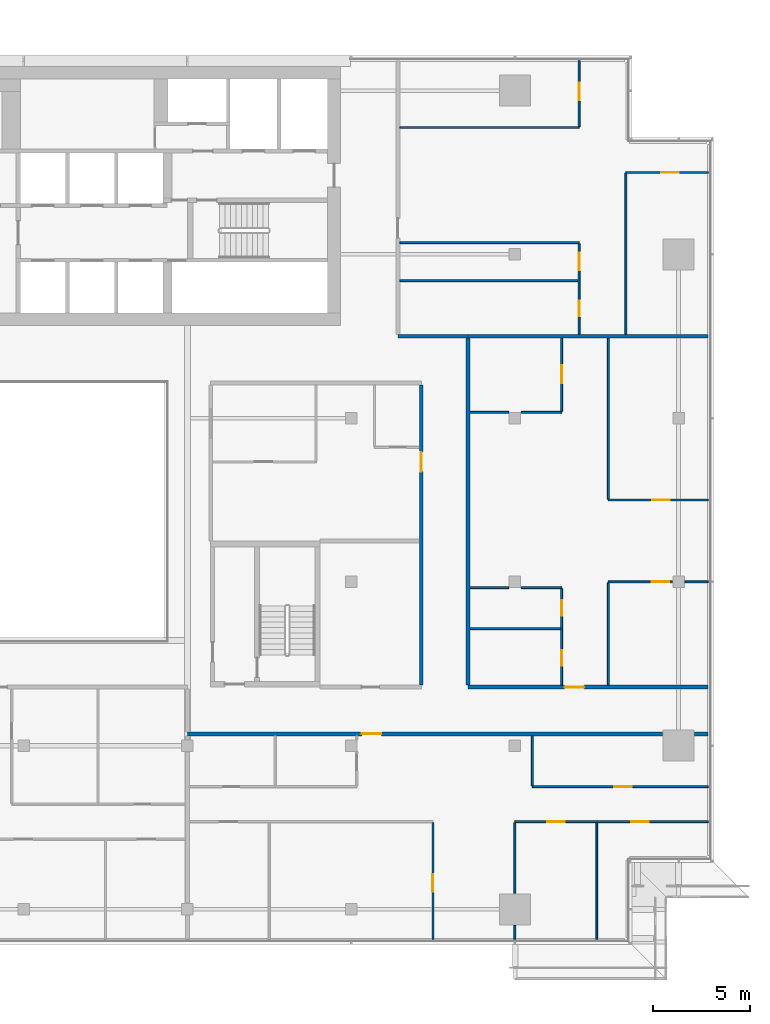
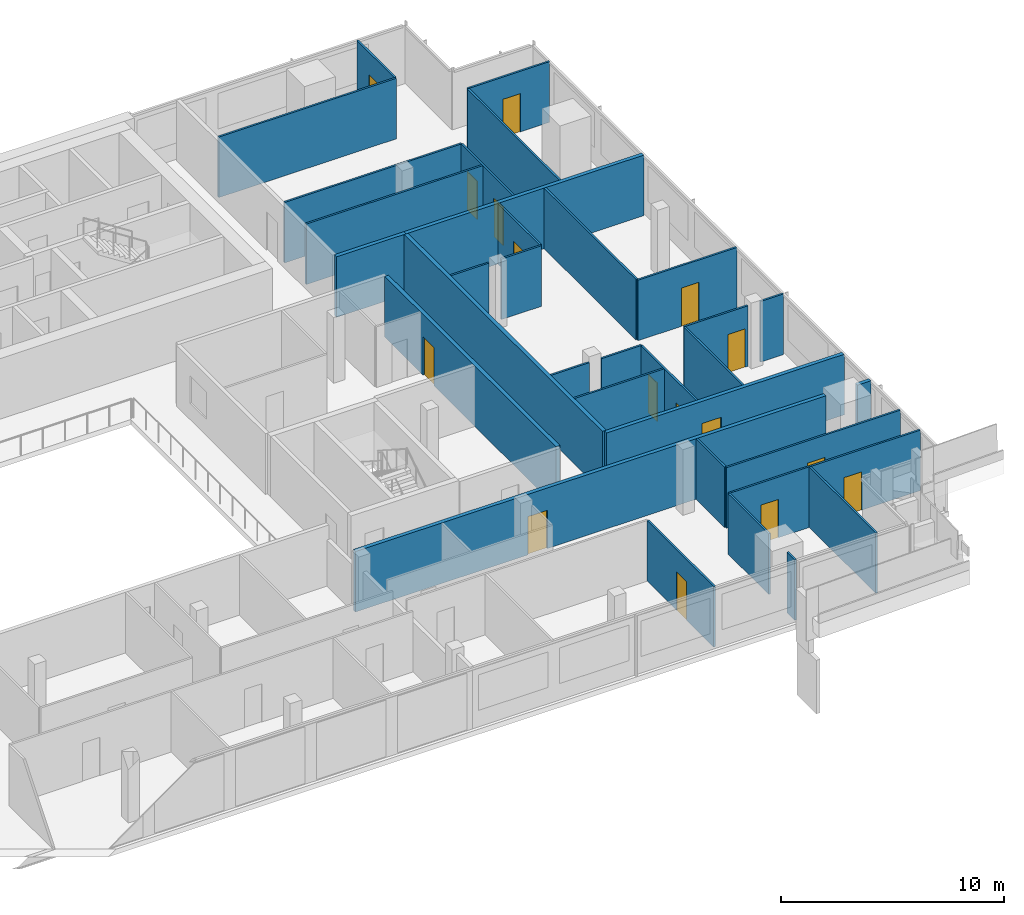
# One storey, part 24 of 30: 33 walls, 16 doors, 16 openings.
"""IFC4 building model written with IfcOpenShell, lengths in metres."""

from ifc_helpers import new_model, si_unit, direction, frame, frame_2d, origin, place, context, subcontext, project, spatial, rectangle, extrude, material, layer, layer_set, type_object, element, fill, save


model = new_model("IFC4")

# Units and contexts
model_context = context("Model", 3, precision=1e-05, world=origin(), true_north=direction((0.0, 1.0)))
body_context = subcontext(model_context, "Body", "Model", "MODEL_VIEW")
ifc_project = project(units=[si_unit("LENGTHUNIT", "METRE"), si_unit("AREAUNIT", "SQUARE_METRE"), si_unit("VOLUMEUNIT", "CUBIC_METRE"), si_unit("PLANEANGLEUNIT", "RADIAN"), si_unit("MASSUNIT", "GRAM", prefix="KILO")], contexts=[model_context])

# Site, building, storey
site_placement = place(None, origin())
site = spatial("IfcSite", under=ifc_project, at=site_placement, CompositionType="ELEMENT")
building_placement = place(site_placement, origin())
building = spatial("IfcBuilding", under=site, at=building_placement, Name="Saffron Gate Tower", CompositionType="ELEMENT")
storey_placement = place(building_placement, frame((0.0, 0.0, 237.89990234375)))
storey = spatial("IfcBuildingStorey", under=building, at=storey_placement, Name="L58", CompositionType="ELEMENT", Elevation=237.89990234375)

# Wall, openings, doors
ifc_material_1 = material(Name="Plasterboard on steel studs", Category="steel")
ifc_layer_1 = layer(ifc_material_1, 0.10009765625)
ifc_layer_set_1 = layer_set([ifc_layer_1], Name="PW1 Partition 100")
wall_type_1 = type_object("IfcWallType", Name="PW1 Partition 100", PredefinedType="PARTITIONING", material=ifc_layer_set_1)
wall_1_placement = place(storey_placement, frame((126.919921875, 36.300048828125, 0.0), z_axis=(0.0, 0.0, 1.0), x_axis=(-1.0, 0.0, 0.0)))
wall_1 = element("IfcWall", 1, at=wall_1_placement, inside=storey, type_object=wall_type_1, Name="Partition D4-7", PredefinedType="PARTITIONING", context=body_context, shape_type="SweptSolid", body=[
    extrude(rectangle(XDim=9.919921875, YDim=0.10009765625, at=frame_2d((4.9599609375, 0.0))), origin(), (0.0, 0.0, 1.0), 3.320068359375),
])
opening_1_placement = place(wall_1_placement, frame((3.0576171875, 0.0, 0.0)))
opening_1 = element("IfcOpeningElement", 2, at=opening_1_placement, cuts=wall_1, Name="Opening D4-21", PredefinedType="OPENING", context=body_context, shape_type="SweptSolid", body=[
    extrude(rectangle(XDim=0.89990234375, YDim=2.10009765625, at=frame_2d((0.449951171875, 1.050048828125))), frame((0.0, 0.06005859375, 0.0), z_axis=(0.0, -1.0, 0.0), x_axis=(1.0, 0.0, 0.0)), (0.0, 0.0, 1.0), 0.1201171875),
])
opening_2_placement = place(wall_1_placement, frame((7.3701171875, 0.0, 0.0)))
opening_2 = element("IfcOpeningElement", 3, at=opening_2_placement, cuts=wall_1, Name="Opening D4-20", PredefinedType="OPENING", context=body_context, shape_type="SweptSolid", body=[
    extrude(rectangle(XDim=0.89990234375, YDim=2.10009765625, at=frame_2d((0.449951171875, 1.050048828125))), frame((0.0, 0.06005859375, 0.0), z_axis=(0.0, -1.0, 0.0), x_axis=(1.0, 0.0, 0.0)), (0.0, 0.0, 1.0), 0.1201171875),
])
ifc_material_2 = material(Name="Timber door set", Category="wood")
door_type_1 = type_object("IfcDoorType", Name="RD1 Room door 900x2100", OperationType="NOTDEFINED", PredefinedType="DOOR", material=ifc_material_2)
door_1_placement = place(opening_1_placement, origin())
door_1 = element("IfcDoor", 4, at=door_1_placement, inside=storey, type_object=door_type_1, Name="Door D4-21", OperationType="SINGLE_SWING_RIGHT", OverallHeight=2.10009765625, OverallWidth=0.89990234375, PredefinedType="DOOR", context=body_context, shape_type="SweptSolid", body=[
    extrude(rectangle(XDim=0.89990234375, YDim=2.10009765625, at=frame_2d((0.449951171875, 1.050048828125))), frame((0.0, 0.02490234375, 0.0), z_axis=(0.0, -1.0, 0.0), x_axis=(1.0, 0.0, 0.0)), (0.0, 0.0, 1.0), 0.050048828125),
])
fill(opening_1, door_1)
door_2_placement = place(opening_2_placement, origin())
door_2 = element("IfcDoor", 5, at=door_2_placement, inside=storey, type_object=door_type_1, Name="Door D4-20", OperationType="SINGLE_SWING_RIGHT", OverallHeight=2.10009765625, OverallWidth=0.89990234375, PredefinedType="DOOR", context=body_context, shape_type="SweptSolid", body=[
    extrude(rectangle(XDim=0.89990234375, YDim=2.10009765625, at=frame_2d((0.449951171875, 1.050048828125))), frame((0.0, 0.02490234375, 0.0), z_axis=(0.0, -1.0, 0.0), x_axis=(1.0, 0.0, 0.0)), (0.0, 0.0, 1.0), 0.050048828125),
])
fill(opening_2, door_2)

# Wall, opening, door
wall_2_placement = place(storey_placement, frame((117.89990234375, 38.10009765625, 0.0), z_axis=(0.0, 0.0, 1.0), x_axis=(1.0, 0.0, 0.0)))
wall_2 = element("IfcWall", 6, at=wall_2_placement, inside=storey, type_object=wall_type_1, Name="Partition D4-11", PredefinedType="PARTITIONING", context=body_context, shape_type="SweptSolid", body=[
    extrude(rectangle(XDim=9.02001953125, YDim=0.10009765625, at=frame_2d((4.510009765625, 0.0))), origin(), (0.0, 0.0, 1.0), 3.320068359375),
])
opening_3_placement = place(wall_2_placement, frame((4.199951171875, 0.0, 0.0)))
opening_3 = element("IfcOpeningElement", 7, at=opening_3_placement, cuts=wall_2, Name="Opening D4-22", PredefinedType="OPENING", context=body_context, shape_type="SweptSolid", body=[
    extrude(rectangle(XDim=0.89990234375, YDim=2.10009765625, at=frame_2d((0.449951171875, 1.050048828125))), frame((0.0, 0.06005859375, 0.0), z_axis=(0.0, -1.0, 0.0), x_axis=(1.0, 0.0, 0.0)), (0.0, 0.0, 1.0), 0.1201171875),
])
door_3_placement = place(opening_3_placement, origin())
door_3 = element("IfcDoor", 8, at=door_3_placement, inside=storey, type_object=door_type_1, Name="Door D4-22", OperationType="SINGLE_SWING_RIGHT", OverallHeight=2.10009765625, OverallWidth=0.89990234375, PredefinedType="DOOR", context=body_context, shape_type="SweptSolid", body=[
    extrude(rectangle(XDim=0.89990234375, YDim=2.10009765625, at=frame_2d((0.449951171875, 1.050048828125))), frame((0.0, 0.02490234375, 0.0), z_axis=(0.0, -1.0, 0.0), x_axis=(1.0, 0.0, 0.0)), (0.0, 0.0, 1.0), 0.050048828125),
])
fill(opening_3, door_3)

# Walls
wall_3_placement = place(storey_placement, frame((114.699951171875, 46.199951171875, 0.0), z_axis=(0.0, 0.0, 1.0), x_axis=(1.0, 0.0, 0.0)))
element("IfcWall", 9, at=wall_3_placement, inside=storey, type_object=wall_type_1, Name="Partition D4-21", PredefinedType="PARTITIONING", context=body_context, shape_type="SweptSolid", body=[
    extrude(rectangle(XDim=4.650146484375, YDim=0.10009765625, at=frame_2d((2.3251953125, 0.0))), origin(), (0.0, 0.0, 1.0), 3.320068359375),
])
wall_4_placement = place(storey_placement, frame((114.699951171875, 48.300048828125, 0.0), z_axis=(0.0, 0.0, 1.0), x_axis=(1.0, 0.0, 0.0)))
element("IfcWall", 10, at=wall_4_placement, inside=storey, type_object=wall_type_1, Name="Partition D4-22", PredefinedType="PARTITIONING", context=body_context, shape_type="SweptSolid", body=[
    extrude(rectangle(XDim=1.97998046875, YDim=0.10009765625, at=frame_2d((0.989990234375, 0.0))), origin(), (0.0, 0.0, 1.0), 3.320068359375),
])
wall_5_placement = place(storey_placement, frame((117.320068359375, 48.300048828125, 0.0), z_axis=(0.0, 0.0, 1.0), x_axis=(1.0, 0.0, 0.0)))
element("IfcWall", 11, at=wall_5_placement, inside=storey, type_object=wall_type_1, Name="Partition D4-23", PredefinedType="PARTITIONING", context=body_context, shape_type="SweptSolid", body=[
    extrude(rectangle(XDim=2.079833984375, YDim=0.10009765625, at=frame_2d((1.0400390625, 0.0))), origin(), (0.0, 0.0, 1.0), 3.320068359375),
])

# Wall, opening, door
wall_6_placement = place(storey_placement, frame((125.080078125, 48.60009765625, 0.0), z_axis=(0.0, 0.0, 1.0), x_axis=(-1.0, 0.0, 0.0)))
wall_6 = element("IfcWall", 12, at=wall_6_placement, inside=storey, type_object=wall_type_1, Name="Partition D4-26", PredefinedType="PARTITIONING", context=body_context, shape_type="SweptSolid", body=[
    extrude(rectangle(XDim=3.280029296875, YDim=0.10009765625, at=frame_2d((1.64013671875, 0.0))), origin(), (0.0, 0.0, 1.0), 3.320068359375),
])
opening_4_placement = place(wall_6_placement, frame((0.14990234375, 0.0, 0.0)))
opening_4 = element("IfcOpeningElement", 13, at=opening_4_placement, cuts=wall_6, Name="Opening D4-29", PredefinedType="OPENING", context=body_context, shape_type="SweptSolid", body=[
    extrude(rectangle(XDim=0.89990234375, YDim=2.10009765625, at=frame_2d((0.449951171875, 1.050048828125))), frame((0.0, 0.06005859375, 0.0), z_axis=(0.0, -1.0, 0.0), x_axis=(1.0, 0.0, 0.0)), (0.0, 0.0, 1.0), 0.1201171875),
])
door_4_placement = place(opening_4_placement, origin())
door_4 = element("IfcDoor", 14, at=door_4_placement, inside=storey, type_object=door_type_1, Name="Door D4-29", OperationType="SINGLE_SWING_LEFT", OverallHeight=2.10009765625, OverallWidth=0.89990234375, PredefinedType="DOOR", context=body_context, shape_type="SweptSolid", body=[
    extrude(rectangle(XDim=0.89990234375, YDim=2.10009765625, at=frame_2d((0.449951171875, 1.050048828125))), frame((0.0, 0.02490234375, 0.0), z_axis=(0.0, -1.0, 0.0), x_axis=(1.0, 0.0, 0.0)), (0.0, 0.0, 1.0), 0.050048828125),
])
fill(opening_4, door_4)

# Wall
wall_7_placement = place(storey_placement, frame((125.719970703125, 48.60009765625, 0.0), z_axis=(0.0, 0.0, 1.0), x_axis=(1.0, 0.0, 0.0)))
element("IfcWall", 15, at=wall_7_placement, inside=storey, type_object=wall_type_1, Name="Partition D4-27", PredefinedType="PARTITIONING", context=body_context, shape_type="SweptSolid", body=[
    extrude(rectangle(XDim=1.199951171875, YDim=0.10009765625, at=frame_2d((0.60009765625, 0.0))), origin(), (0.0, 0.0, 1.0), 3.320068359375),
])

# Wall, opening, door
wall_8_placement = place(storey_placement, frame((121.800048828125, 52.800048828125, 0.0), z_axis=(0.0, 0.0, 1.0), x_axis=(1.0, 0.0, 0.0)))
wall_8 = element("IfcWall", 16, at=wall_8_placement, inside=storey, type_object=wall_type_1, Name="Partition D4-32", PredefinedType="PARTITIONING", context=body_context, shape_type="SweptSolid", body=[
    extrude(rectangle(XDim=5.119873046875, YDim=0.10009765625, at=frame_2d((2.56005859375, 0.0))), origin(), (0.0, 0.0, 1.0), 3.320068359375),
])
opening_5_placement = place(wall_8_placement, frame((2.25, 0.0, 0.0)))
opening_5 = element("IfcOpeningElement", 17, at=opening_5_placement, cuts=wall_8, Name="Opening D4-30", PredefinedType="OPENING", context=body_context, shape_type="SweptSolid", body=[
    extrude(rectangle(XDim=0.89990234375, YDim=2.10009765625, at=frame_2d((0.449951171875, 1.050048828125))), frame((0.0, 0.06005859375, 0.0), z_axis=(0.0, -1.0, 0.0), x_axis=(1.0, 0.0, 0.0)), (0.0, 0.0, 1.0), 0.1201171875),
])
door_5_placement = place(opening_5_placement, origin())
door_5 = element("IfcDoor", 18, at=door_5_placement, inside=storey, type_object=door_type_1, Name="Door D4-30", OperationType="SINGLE_SWING_RIGHT", OverallHeight=2.10009765625, OverallWidth=0.89990234375, PredefinedType="DOOR", context=body_context, shape_type="SweptSolid", body=[
    extrude(rectangle(XDim=0.89990234375, YDim=2.10009765625, at=frame_2d((0.449951171875, 1.050048828125))), frame((0.0, 0.02490234375, 0.0), z_axis=(0.0, -1.0, 0.0), x_axis=(1.0, 0.0, 0.0)), (0.0, 0.0, 1.0), 0.050048828125),
])
fill(opening_5, door_5)

# Walls
wall_9_placement = place(storey_placement, frame((114.699951171875, 57.300048828125, 0.0), z_axis=(0.0, 0.0, 1.0), x_axis=(1.0, 0.0, 0.0)))
element("IfcWall", 19, at=wall_9_placement, inside=storey, type_object=wall_type_1, Name="Partition D4-40", PredefinedType="PARTITIONING", context=body_context, shape_type="SweptSolid", body=[
    extrude(rectangle(XDim=1.97998046875, YDim=0.10009765625, at=frame_2d((0.989990234375, 0.0))), origin(), (0.0, 0.0, 1.0), 3.320068359375),
])
wall_10_placement = place(storey_placement, frame((117.320068359375, 57.300048828125, 0.0), z_axis=(0.0, 0.0, 1.0), x_axis=(1.0, 0.0, 0.0)))
element("IfcWall", 20, at=wall_10_placement, inside=storey, type_object=wall_type_1, Name="Partition D4-41", PredefinedType="PARTITIONING", context=body_context, shape_type="SweptSolid", body=[
    extrude(rectangle(XDim=2.079833984375, YDim=0.10009765625, at=frame_2d((1.0400390625, 0.0))), origin(), (0.0, 0.0, 1.0), 3.320068359375),
])
wall_11_placement = place(storey_placement, frame((111.10009765625, 64.049560546875, 0.0), z_axis=(0.0, 0.0, 1.0), x_axis=(1.0, 0.0, 0.0)))
element("IfcWall", 21, at=wall_11_placement, inside=storey, type_object=wall_type_1, Name="Partition D4-49", PredefinedType="PARTITIONING", context=body_context, shape_type="SweptSolid", body=[
    extrude(rectangle(XDim=9.14990234375, YDim=0.10009765625, at=frame_2d((4.574951171875, 0.0))), origin(), (0.0, 0.0, 1.0), 3.320068359375),
])
wall_12_placement = place(storey_placement, frame((111.10009765625, 66.0, 0.0), z_axis=(0.0, 0.0, 1.0), x_axis=(1.0, 0.0, 0.0)))
element("IfcWall", 22, at=wall_12_placement, inside=storey, type_object=wall_type_1, Name="Partition D4-50", PredefinedType="PARTITIONING", context=body_context, shape_type="SweptSolid", body=[
    extrude(rectangle(XDim=9.199951171875, YDim=0.10009765625, at=frame_2d((4.60009765625, 0.0))), origin(), (0.0, 0.0, 1.0), 3.320068359375),
])

# Wall, opening, door
wall_13_placement = place(storey_placement, frame((126.919921875, 69.60009765625, 0.0), z_axis=(0.0, 0.0, 1.0), x_axis=(-1.0, 0.0, 0.0)))
wall_13 = element("IfcWall", 23, at=wall_13_placement, inside=storey, type_object=wall_type_1, Name="Partition D4-54", PredefinedType="PARTITIONING", context=body_context, shape_type="SweptSolid", body=[
    extrude(rectangle(XDim=4.219970703125, YDim=0.10009765625, at=frame_2d((2.10986328125, 0.0))), origin(), (0.0, 0.0, 1.0), 3.320068359375),
])
opening_6_placement = place(wall_13_placement, frame((1.52001953125, 0.0, 0.0)))
opening_6 = element("IfcOpeningElement", 24, at=opening_6_placement, cuts=wall_13, Name="Opening D4-32", PredefinedType="OPENING", context=body_context, shape_type="SweptSolid", body=[
    extrude(rectangle(XDim=0.89990234375, YDim=2.10009765625, at=frame_2d((0.449951171875, 1.050048828125))), frame((0.0, 0.06005859375, 0.0), z_axis=(0.0, -1.0, 0.0), x_axis=(1.0, 0.0, 0.0)), (0.0, 0.0, 1.0), 0.1201171875),
])
door_6_placement = place(opening_6_placement, origin())
door_6 = element("IfcDoor", 25, at=door_6_placement, inside=storey, type_object=door_type_1, Name="Door D4-32", OperationType="SINGLE_SWING_LEFT", OverallHeight=2.10009765625, OverallWidth=0.89990234375, PredefinedType="DOOR", context=body_context, shape_type="SweptSolid", body=[
    extrude(rectangle(XDim=0.89990234375, YDim=2.10009765625, at=frame_2d((0.449951171875, 1.050048828125))), frame((0.0, 0.02490234375, 0.0), z_axis=(0.0, -1.0, 0.0), x_axis=(1.0, 0.0, 0.0)), (0.0, 0.0, 1.0), 0.050048828125),
])
fill(opening_6, door_6)

# Wall
wall_14_placement = place(storey_placement, frame((111.10009765625, 71.90869140625, 0.0), z_axis=(0.0, 0.0, 1.0), x_axis=(1.0, 0.0, 0.0)))
element("IfcWall", 26, at=wall_14_placement, inside=storey, type_object=wall_type_1, Name="Partition D4-56", PredefinedType="PARTITIONING", context=body_context, shape_type="SweptSolid", body=[
    extrude(rectangle(XDim=9.199951171875, YDim=0.10009765625, at=frame_2d((4.60009765625, 0.0))), origin(), (0.0, 0.0, 1.0), 3.320068359375),
])

# Wall, opening, door
wall_15_placement = place(storey_placement, frame((112.800048828125, 30.280029296875, 0.0), z_axis=(0.0, 0.0, 1.0), x_axis=(0.0, 1.0, 0.0)))
wall_15 = element("IfcWall", 27, at=wall_15_placement, inside=storey, type_object=wall_type_1, Name="Partition D4-104", PredefinedType="PARTITIONING", context=body_context, shape_type="SweptSolid", body=[
    extrude(rectangle(XDim=5.969970703125, YDim=0.10009765625, at=frame_2d((2.98486328125, 0.0))), origin(), (0.0, 0.0, 1.0), 3.320068359375),
])
opening_7_placement = place(wall_15_placement, frame((2.419921875, 0.0, 0.0)))
opening_7 = element("IfcOpeningElement", 28, at=opening_7_placement, cuts=wall_15, Name="Opening D4-19", PredefinedType="OPENING", context=body_context, shape_type="SweptSolid", body=[
    extrude(rectangle(XDim=0.89990234375, YDim=2.10009765625, at=frame_2d((0.449951171875, 1.050048828125))), frame((0.0, 0.06005859375, 0.0), z_axis=(0.0, -1.0, 0.0), x_axis=(1.0, 0.0, 0.0)), (0.0, 0.0, 1.0), 0.1201171875),
])
door_7_placement = place(opening_7_placement, origin())
door_7 = element("IfcDoor", 29, at=door_7_placement, inside=storey, type_object=door_type_1, Name="Door D4-19", OperationType="SINGLE_SWING_LEFT", OverallHeight=2.10009765625, OverallWidth=0.89990234375, PredefinedType="DOOR", context=body_context, shape_type="SweptSolid", body=[
    extrude(rectangle(XDim=0.89990234375, YDim=2.10009765625, at=frame_2d((0.449951171875, 1.050048828125))), frame((0.0, 0.02490234375, 0.0), z_axis=(0.0, -1.0, 0.0), x_axis=(1.0, 0.0, 0.0)), (0.0, 0.0, 1.0), 0.050048828125),
])
fill(opening_7, door_7)

# Walls
wall_16_placement = place(storey_placement, frame((117.0, 30.97998046875, 0.0), z_axis=(0.0, 0.0, 1.0), x_axis=(0.0, -1.0, 0.0)))
element("IfcWall", 30, at=wall_16_placement, inside=storey, type_object=wall_type_1, Name="Partition D4-106", PredefinedType="PARTITIONING", context=body_context, shape_type="SweptSolid", body=[
    extrude(rectangle(XDim=0.699951171875, YDim=0.10009765625, at=frame_2d((0.35009765625, 0.0))), origin(), (0.0, 0.0, 1.0), 3.320068359375),
])
wall_17_placement = place(storey_placement, frame((117.0, 36.25, 0.0), z_axis=(0.0, 0.0, 1.0), x_axis=(0.0, -1.0, 0.0)))
element("IfcWall", 31, at=wall_17_placement, inside=storey, type_object=wall_type_1, Name="Partition D4-107", PredefinedType="PARTITIONING", context=body_context, shape_type="SweptSolid", body=[
    extrude(rectangle(XDim=3.6298828125, YDim=0.10009765625, at=frame_2d((1.81494140625, 0.0))), origin(), (0.0, 0.0, 1.0), 3.320068359375),
])
wall_18_placement = place(storey_placement, frame((117.89990234375, 40.699951171875, 0.0), z_axis=(0.0, 0.0, 1.0), x_axis=(0.0, -1.0, 0.0)))
element("IfcWall", 32, at=wall_18_placement, inside=storey, type_object=wall_type_1, Name="Partition D4-108", PredefinedType="PARTITIONING", context=body_context, shape_type="SweptSolid", body=[
    extrude(rectangle(XDim=2.550048828125, YDim=0.10009765625, at=frame_2d((1.27490234375, 0.0))), origin(), (0.0, 0.0, 1.0), 3.320068359375),
])

# Wall, openings, doors
wall_19_placement = place(storey_placement, frame((119.39990234375, 43.300048828125, 0.0), z_axis=(0.0, 0.0, 1.0), x_axis=(0.0, 1.0, 0.0)))
wall_19 = element("IfcWall", 33, at=wall_19_placement, inside=storey, type_object=wall_type_1, Name="Partition D4-109", PredefinedType="PARTITIONING", context=body_context, shape_type="SweptSolid", body=[
    extrude(rectangle(XDim=4.949951171875, YDim=0.10009765625, at=frame_2d((2.47509765625, 0.0))), origin(), (0.0, 0.0, 1.0), 3.320068359375),
])
opening_8_placement = place(wall_19_placement, frame((1.0, 0.0, 0.0)))
opening_8 = element("IfcOpeningElement", 34, at=opening_8_placement, cuts=wall_19, Name="Opening D4-46", PredefinedType="OPENING", context=body_context, shape_type="SweptSolid", body=[
    extrude(rectangle(XDim=0.800048828125, YDim=2.10009765625, at=frame_2d((0.39990234375, 1.050048828125))), frame((0.0, 0.06005859375, 0.0), z_axis=(0.0, -1.0, 0.0), x_axis=(1.0, 0.0, 0.0)), (0.0, 0.0, 1.0), 0.1201171875),
])
opening_9_placement = place(wall_19_placement, frame((3.550048828125, 0.0, 0.0)))
opening_9 = element("IfcOpeningElement", 35, at=opening_9_placement, cuts=wall_19, Name="Opening D4-47", PredefinedType="OPENING", context=body_context, shape_type="SweptSolid", body=[
    extrude(rectangle(XDim=0.800048828125, YDim=2.10009765625, at=frame_2d((0.39990234375, 1.050048828125))), frame((0.0, 0.06005859375, 0.0), z_axis=(0.0, -1.0, 0.0), x_axis=(1.0, 0.0, 0.0)), (0.0, 0.0, 1.0), 0.1201171875),
])
door_type_2 = type_object("IfcDoorType", Name="RD2 Bathroom door 800x2100", OperationType="NOTDEFINED", PredefinedType="DOOR", material=ifc_material_2)
door_8_placement = place(opening_8_placement, origin())
door_8 = element("IfcDoor", 36, at=door_8_placement, inside=storey, type_object=door_type_2, Name="Door D4-46", OperationType="SINGLE_SWING_LEFT", OverallHeight=2.10009765625, OverallWidth=0.800048828125, PredefinedType="DOOR", context=body_context, shape_type="SweptSolid", body=[
    extrude(rectangle(XDim=0.800048828125, YDim=2.10009765625, at=frame_2d((0.39990234375, 1.050048828125))), frame((0.0, 0.02490234375, 0.0), z_axis=(0.0, -1.0, 0.0), x_axis=(1.0, 0.0, 0.0)), (0.0, 0.0, 1.0), 0.050048828125),
])
fill(opening_8, door_8)
door_9_placement = place(opening_9_placement, origin())
door_9 = element("IfcDoor", 37, at=door_9_placement, inside=storey, type_object=door_type_2, Name="Door D4-47", OperationType="SINGLE_SWING_RIGHT", OverallHeight=2.10009765625, OverallWidth=0.800048828125, PredefinedType="DOOR", context=body_context, shape_type="SweptSolid", body=[
    extrude(rectangle(XDim=0.800048828125, YDim=2.10009765625, at=frame_2d((0.39990234375, 1.050048828125))), frame((0.0, 0.02490234375, 0.0), z_axis=(0.0, -1.0, 0.0), x_axis=(1.0, 0.0, 0.0)), (0.0, 0.0, 1.0), 0.050048828125),
])
fill(opening_9, door_9)

# Wall, opening, door
wall_20_placement = place(storey_placement, frame((119.39990234375, 57.35009765625, 0.0), z_axis=(0.0, 0.0, 1.0), x_axis=(0.0, 1.0, 0.0)))
wall_20 = element("IfcWall", 38, at=wall_20_placement, inside=storey, type_object=wall_type_1, Name="Partition D4-110", PredefinedType="PARTITIONING", context=body_context, shape_type="SweptSolid", body=[
    extrude(rectangle(XDim=3.75, YDim=0.10009765625, at=frame_2d((1.875, 0.0))), origin(), (0.0, 0.0, 1.0), 3.320068359375),
])
opening_10_placement = place(wall_20_placement, frame((1.449951171875, 0.0, 0.0)))
opening_10 = element("IfcOpeningElement", 39, at=opening_10_placement, cuts=wall_20, Name="Opening D4-31", PredefinedType="OPENING", context=body_context, shape_type="SweptSolid", body=[
    extrude(rectangle(XDim=0.89990234375, YDim=2.10009765625, at=frame_2d((0.449951171875, 1.050048828125))), frame((0.0, 0.06005859375, 0.0), z_axis=(0.0, -1.0, 0.0), x_axis=(1.0, 0.0, 0.0)), (0.0, 0.0, 1.0), 0.1201171875),
])
door_10_placement = place(opening_10_placement, origin())
door_10 = element("IfcDoor", 40, at=door_10_placement, inside=storey, type_object=door_type_1, Name="Door D4-31", OperationType="SINGLE_SWING_RIGHT", OverallHeight=2.10009765625, OverallWidth=0.89990234375, PredefinedType="DOOR", context=body_context, shape_type="SweptSolid", body=[
    extrude(rectangle(XDim=0.89990234375, YDim=2.10009765625, at=frame_2d((0.449951171875, 1.050048828125))), frame((0.0, 0.02490234375, 0.0), z_axis=(0.0, -1.0, 0.0), x_axis=(1.0, 0.0, 0.0)), (0.0, 0.0, 1.0), 0.050048828125),
])
fill(opening_10, door_10)

# Wall, openings, doors
wall_21_placement = place(storey_placement, frame((120.300048828125, 61.300048828125, 0.0), z_axis=(0.0, 0.0, 1.0), x_axis=(0.0, 1.0, 0.0)))
wall_21 = element("IfcWall", 41, at=wall_21_placement, inside=storey, type_object=wall_type_1, Name="Partition D4-111", PredefinedType="PARTITIONING", context=body_context, shape_type="SweptSolid", body=[
    extrude(rectangle(XDim=4.64990234375, YDim=0.10009765625, at=frame_2d((2.324951171875, 0.0))), origin(), (0.0, 0.0, 1.0), 3.320068359375),
])
opening_11_placement = place(wall_21_placement, frame((0.9248046875, 0.0, 0.0)))
opening_11 = element("IfcOpeningElement", 42, at=opening_11_placement, cuts=wall_21, Name="Opening D4-48", PredefinedType="OPENING", context=body_context, shape_type="SweptSolid", body=[
    extrude(rectangle(XDim=0.800048828125, YDim=2.10009765625, at=frame_2d((0.39990234375, 1.050048828125))), frame((0.0, 0.06005859375, 0.0), z_axis=(0.0, -1.0, 0.0), x_axis=(1.0, 0.0, 0.0)), (0.0, 0.0, 1.0), 0.1201171875),
])
opening_12_placement = place(wall_21_placement, frame((3.274658203125, 0.0, 0.0)))
opening_12 = element("IfcOpeningElement", 43, at=opening_12_placement, cuts=wall_21, Name="Opening D4-34", PredefinedType="OPENING", context=body_context, shape_type="SweptSolid", body=[
    extrude(rectangle(XDim=0.89990234375, YDim=2.10009765625, at=frame_2d((0.449951171875, 1.050048828125))), frame((0.0, 0.06005859375, 0.0), z_axis=(0.0, -1.0, 0.0), x_axis=(1.0, 0.0, 0.0)), (0.0, 0.0, 1.0), 0.1201171875),
])
door_11_placement = place(opening_12_placement, origin())
door_11 = element("IfcDoor", 44, at=door_11_placement, inside=storey, type_object=door_type_1, Name="Door D4-34", OperationType="SINGLE_SWING_RIGHT", OverallHeight=2.10009765625, OverallWidth=0.89990234375, PredefinedType="DOOR", context=body_context, shape_type="SweptSolid", body=[
    extrude(rectangle(XDim=0.89990234375, YDim=2.10009765625, at=frame_2d((0.449951171875, 1.050048828125))), frame((0.0, 0.02490234375, 0.0), z_axis=(0.0, -1.0, 0.0), x_axis=(1.0, 0.0, 0.0)), (0.0, 0.0, 1.0), 0.050048828125),
])
fill(opening_12, door_11)
door_12_placement = place(opening_11_placement, origin())
door_12 = element("IfcDoor", 45, at=door_12_placement, inside=storey, type_object=door_type_2, Name="Door D4-48", OperationType="SINGLE_SWING_LEFT", OverallHeight=2.10009765625, OverallWidth=0.800048828125, PredefinedType="DOOR", context=body_context, shape_type="SweptSolid", body=[
    extrude(rectangle(XDim=0.800048828125, YDim=2.10009765625, at=frame_2d((0.39990234375, 1.050048828125))), frame((0.0, 0.02490234375, 0.0), z_axis=(0.0, -1.0, 0.0), x_axis=(1.0, 0.0, 0.0)), (0.0, 0.0, 1.0), 0.050048828125),
])
fill(opening_11, door_12)

# Wall, opening, door
wall_22_placement = place(storey_placement, frame((120.300048828125, 71.95849609375, 0.0), z_axis=(0.0, 0.0, 1.0), x_axis=(0.0, 1.0, 0.0)))
wall_22 = element("IfcWall", 46, at=wall_22_placement, inside=storey, type_object=wall_type_1, Name="Partition D4-112", PredefinedType="PARTITIONING", context=body_context, shape_type="SweptSolid", body=[
    extrude(rectangle(XDim=3.361572265625, YDim=0.10009765625, at=frame_2d((1.6806640625, 0.0))), origin(), (0.0, 0.0, 1.0), 3.320068359375),
])
opening_13_placement = place(wall_22_placement, frame((1.345703125, 0.0, 0.0)))
opening_13 = element("IfcOpeningElement", 47, at=opening_13_placement, cuts=wall_22, Name="Opening D4-33", PredefinedType="OPENING", context=body_context, shape_type="SweptSolid", body=[
    extrude(rectangle(XDim=0.89990234375, YDim=2.10009765625, at=frame_2d((0.449951171875, 1.050048828125))), frame((0.0, 0.06005859375, 0.0), z_axis=(0.0, -1.0, 0.0), x_axis=(1.0, 0.0, 0.0)), (0.0, 0.0, 1.0), 0.1201171875),
])
door_13_placement = place(opening_13_placement, origin())
door_13 = element("IfcDoor", 48, at=door_13_placement, inside=storey, type_object=door_type_1, Name="Door D4-33", OperationType="SINGLE_SWING_RIGHT", OverallHeight=2.10009765625, OverallWidth=0.89990234375, PredefinedType="DOOR", context=body_context, shape_type="SweptSolid", body=[
    extrude(rectangle(XDim=0.89990234375, YDim=2.10009765625, at=frame_2d((0.449951171875, 1.050048828125))), frame((0.0, 0.02490234375, 0.0), z_axis=(0.0, -1.0, 0.0), x_axis=(1.0, 0.0, 0.0)), (0.0, 0.0, 1.0), 0.050048828125),
])
fill(opening_13, door_13)

# Walls
wall_23_placement = place(storey_placement, frame((121.199951171875, 36.25, 0.0), z_axis=(0.0, 0.0, 1.0), x_axis=(0.0, -1.0, 0.0)))
element("IfcWall", 49, at=wall_23_placement, inside=storey, type_object=wall_type_1, Name="Partition D4-113", PredefinedType="PARTITIONING", context=body_context, shape_type="SweptSolid", body=[
    extrude(rectangle(XDim=5.969970703125, YDim=0.10009765625, at=frame_2d((2.98486328125, 0.0))), origin(), (0.0, 0.0, 1.0), 3.320068359375),
])
wall_24_placement = place(storey_placement, frame((121.800048828125, 48.550048828125, 0.0), z_axis=(0.0, 0.0, 1.0), x_axis=(0.0, -1.0, 0.0)))
element("IfcWall", 50, at=wall_24_placement, inside=storey, type_object=wall_type_1, Name="Partition D4-114", PredefinedType="PARTITIONING", context=body_context, shape_type="SweptSolid", body=[
    extrude(rectangle(XDim=5.25, YDim=0.10009765625, at=frame_2d((2.625, 0.0))), origin(), (0.0, 0.0, 1.0), 3.320068359375),
])
for number, where, z_axis, x_axis, name in (
    (51, (121.800048828125, 61.10009765625, 0.0), (0.0, 0.0, 1.0), (0.0, -1.0, 0.0), "Partition D4-115"),
    (52, (122.699951171875, 69.550048828125, 0.0), (0.0, 0.0, 1.0), (0.0, -1.0, 0.0), "Partition D4-116"),
):
    element("IfcWall", number, at=place(storey_placement, frame(where, z_axis=z_axis, x_axis=x_axis)), inside=storey, type_object=wall_type_1, Name=name, PredefinedType="PARTITIONING", context=body_context, shape_type="SweptSolid", body=[
        extrude(rectangle(XDim=8.25, YDim=0.10009765625, at=frame_2d((4.125, 0.0))), origin(), (0.0, 0.0, 1.0), 3.320068359375),
    ])
ifc_material_3 = material(Name="Clay brick masonry, rendered", Category="masonry")
ifc_layer_2 = layer(ifc_material_3, 0.199951171875)
ifc_layer_set_2 = layer_set([ifc_layer_2], Name="PW2 Demising wall 200")
wall_type_2 = type_object("IfcWallType", Name="PW2 Demising wall 200", PredefinedType="PARTITIONING", material=ifc_layer_set_2)
wall_25_placement = place(storey_placement, frame((114.60009765625, 61.199951171875, 0.0), z_axis=(0.0, 0.0, 1.0), x_axis=(1.0, 0.0, 0.0)))
element("IfcWall", 53, at=wall_25_placement, inside=storey, type_object=wall_type_2, Name="Wall D4-48", PredefinedType="PARTITIONING", context=body_context, shape_type="SweptSolid", body=[
    extrude(rectangle(XDim=12.31982421875, YDim=0.199951171875, at=frame_2d((6.159912109375, 0.0))), origin(), (0.0, 0.0, 1.0), 3.320068359375),
])

# Wall, opening, door
ifc_layer_3 = layer(ifc_material_3, 0.199951171875)
ifc_layer_set_3 = layer_set([ifc_layer_3], Name="PW3 Corridor wall 200")
wall_type_3 = type_object("IfcWallType", Name="PW3 Corridor wall 200", PredefinedType="PARTITIONING", material=ifc_layer_set_3)
wall_26_placement = place(storey_placement, frame((124.580078125, 40.800048828125, 0.0), z_axis=(0.0, 0.0, 1.0), x_axis=(-1.0, 0.0, 0.0)))
wall_26 = element("IfcWall", 54, at=wall_26_placement, inside=storey, type_object=wall_type_3, Name="Wall D4-14", PredefinedType="PARTITIONING", context=body_context, shape_type="SweptSolid", body=[
    extrude(rectangle(XDim=24.380126953125, YDim=0.199951171875, at=frame_2d((12.18994140625, 0.0))), origin(), (0.0, 0.0, 1.0), 3.320068359375),
])
opening_14_placement = place(wall_26_placement, frame((14.429931640625, 0.0, 0.0)))
opening_14 = element("IfcOpeningElement", 55, at=opening_14_placement, cuts=wall_26, Name="Opening D4-3", PredefinedType="OPENING", context=body_context, shape_type="SweptSolid", body=[
    extrude(rectangle(XDim=1.0, YDim=2.10009765625, at=frame_2d((0.5, 1.050048828125))), frame((0.0, 0.10986328125, 0.0), z_axis=(0.0, -1.0, 0.0), x_axis=(1.0, 0.0, 0.0)), (0.0, 0.0, 1.0), 0.219970703125),
])
ifc_material_4 = material(Name="Timber fire door set", Category="wood")
door_type_3 = type_object("IfcDoorType", Name="FD1 Flat entry door 1000x2100", OperationType="NOTDEFINED", PredefinedType="DOOR", material=ifc_material_4)
door_14_placement = place(opening_14_placement, origin())
door_14 = element("IfcDoor", 56, at=door_14_placement, inside=storey, type_object=door_type_3, Name="Door D4-3", OperationType="SINGLE_SWING_RIGHT", OverallHeight=2.10009765625, OverallWidth=1.0, PredefinedType="DOOR", context=body_context, shape_type="SweptSolid", body=[
    extrude(rectangle(XDim=1.0, YDim=2.10009765625, at=frame_2d((0.5, 1.050048828125))), frame((0.0, 0.02490234375, 0.0), z_axis=(0.0, -1.0, 0.0), x_axis=(1.0, 0.0, 0.0)), (0.0, 0.0, 1.0), 0.050048828125),
])
fill(opening_14, door_14)

# Wall
wall_27_placement = place(storey_placement, frame((126.219970703125, 40.800048828125, 0.0), z_axis=(0.0, 0.0, 1.0), x_axis=(1.0, 0.0, 0.0)))
element("IfcWall", 57, at=wall_27_placement, inside=storey, type_object=wall_type_3, Name="Wall D4-15", PredefinedType="PARTITIONING", context=body_context, shape_type="SweptSolid", body=[
    extrude(rectangle(XDim=0.699951171875, YDim=0.199951171875, at=frame_2d((0.35009765625, 0.0))), origin(), (0.0, 0.0, 1.0), 3.320068359375),
])

# Wall, opening, door
wall_28_placement = place(storey_placement, frame((114.60009765625, 43.199951171875, 0.0), z_axis=(0.0, 0.0, 1.0), x_axis=(1.0, 0.0, 0.0)))
wall_28 = element("IfcWall", 58, at=wall_28_placement, inside=storey, type_object=wall_type_3, Name="Wall D4-20", PredefinedType="PARTITIONING", context=body_context, shape_type="SweptSolid", body=[
    extrude(rectangle(XDim=12.31982421875, YDim=0.199951171875, at=frame_2d((6.159912109375, 0.0))), origin(), (0.0, 0.0, 1.0), 3.320068359375),
])
opening_15_placement = place(wall_28_placement, frame((4.949951171875, 0.0, 0.0)))
opening_15 = element("IfcOpeningElement", 59, at=opening_15_placement, cuts=wall_28, Name="Opening D4-6", PredefinedType="OPENING", context=body_context, shape_type="SweptSolid", body=[
    extrude(rectangle(XDim=1.0, YDim=2.10009765625, at=frame_2d((0.5, 1.050048828125))), frame((0.0, 0.10986328125, 0.0), z_axis=(0.0, -1.0, 0.0), x_axis=(1.0, 0.0, 0.0)), (0.0, 0.0, 1.0), 0.219970703125),
])
door_15_placement = place(opening_15_placement, origin())
door_15 = element("IfcDoor", 60, at=door_15_placement, inside=storey, type_object=door_type_3, Name="Door D4-6", OperationType="SINGLE_SWING_LEFT", OverallHeight=2.10009765625, OverallWidth=1.0, PredefinedType="DOOR", context=body_context, shape_type="SweptSolid", body=[
    extrude(rectangle(XDim=1.0, YDim=2.10009765625, at=frame_2d((0.5, 1.050048828125))), frame((0.0, 0.02490234375, 0.0), z_axis=(0.0, -1.0, 0.0), x_axis=(1.0, 0.0, 0.0)), (0.0, 0.0, 1.0), 0.050048828125),
])
fill(opening_15, door_15)

# Wall
wall_29_placement = place(storey_placement, frame((111.0, 61.199951171875, 0.0), z_axis=(0.0, 0.0, 1.0), x_axis=(1.0, 0.0, 0.0)))
element("IfcWall", 61, at=wall_29_placement, inside=storey, type_object=wall_type_3, Name="Wall D4-46", PredefinedType="PARTITIONING", context=body_context, shape_type="SweptSolid", body=[
    extrude(rectangle(XDim=3.60009765625, YDim=0.199951171875, at=frame_2d((1.800048828125, 0.0))), origin(), (0.0, 0.0, 1.0), 3.320068359375),
])

# Wall, opening, door
wall_30_placement = place(storey_placement, frame((112.199951171875, 43.300048828125, 0.0), z_axis=(0.0, 0.0, 1.0), x_axis=(0.0, 1.0, 0.0)))
wall_30 = element("IfcWall", 62, at=wall_30_placement, inside=storey, type_object=wall_type_3, Name="Wall D4-103", PredefinedType="PARTITIONING", context=body_context, shape_type="SweptSolid", body=[
    extrude(rectangle(XDim=15.39990234375, YDim=0.199951171875, at=frame_2d((7.699951171875, 0.0))), origin(), (0.0, 0.0, 1.0), 3.320068359375),
])
opening_16_placement = place(wall_30_placement, frame((10.949951171875, 0.0, 0.0)))
opening_16 = element("IfcOpeningElement", 63, at=opening_16_placement, cuts=wall_30, Name="Opening D4-9", PredefinedType="OPENING", context=body_context, shape_type="SweptSolid", body=[
    extrude(rectangle(XDim=1.0, YDim=2.10009765625, at=frame_2d((0.5, 1.050048828125))), frame((0.0, 0.10986328125, 0.0), z_axis=(0.0, -1.0, 0.0), x_axis=(1.0, 0.0, 0.0)), (0.0, 0.0, 1.0), 0.219970703125),
])
door_16_placement = place(opening_16_placement, origin())
door_16 = element("IfcDoor", 64, at=door_16_placement, inside=storey, type_object=door_type_3, Name="Door D4-9", OperationType="SINGLE_SWING_RIGHT", OverallHeight=2.10009765625, OverallWidth=1.0, PredefinedType="DOOR", context=body_context, shape_type="SweptSolid", body=[
    extrude(rectangle(XDim=1.0, YDim=2.10009765625, at=frame_2d((0.5, 1.050048828125))), frame((0.0, 0.02490234375, 0.0), z_axis=(0.0, -1.0, 0.0), x_axis=(1.0, 0.0, 0.0)), (0.0, 0.0, 1.0), 0.050048828125),
])
fill(opening_16, door_16)

# Wall
wall_31_placement = place(storey_placement, frame((114.60009765625, 61.10009765625, 0.0), z_axis=(0.0, 0.0, 1.0), x_axis=(0.0, -1.0, 0.0)))
element("IfcWall", 65, at=wall_31_placement, inside=storey, type_object=wall_type_3, Name="Wall D4-105", PredefinedType="PARTITIONING", context=body_context, shape_type="SweptSolid", body=[
    extrude(rectangle(XDim=17.800048828125, YDim=0.199951171875, at=frame_2d((8.89990234375, 0.0))), origin(), (0.0, 0.0, 1.0), 3.320068359375),
])

save(model, "model.ifc")
